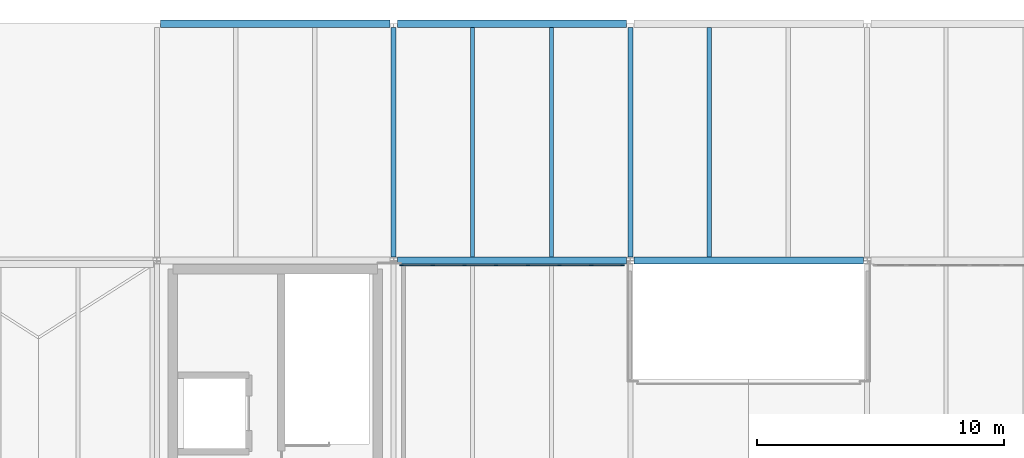
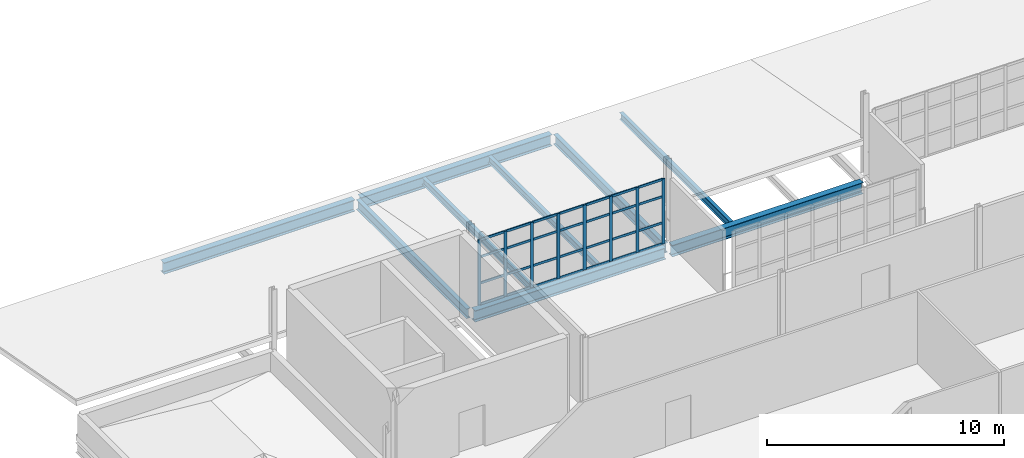
# One storey, part 26 of 58: 36 members, 9 beams, 1 element without a shape of its own.
"""IFC4 building model written with IfcOpenShell, lengths in metres."""

from ifc_helpers import new_model, si_unit, direction, frame, origin, origin_2d, place, context, subcontext, project, spatial, rectangle, i_section, extrude, material, layer, layer_set, material_profile, profile_set, type_object, element, aggregate, save


model = new_model("IFC4")

# Units and contexts
model_context = context("Model", 3, precision=1e-05, world=origin(), true_north=direction((0.0, 1.0)))
body_context = subcontext(model_context, "Body", "Model", "MODEL_VIEW")
ifc_project = project(units=[si_unit("LENGTHUNIT", "METRE"), si_unit("AREAUNIT", "SQUARE_METRE"), si_unit("VOLUMEUNIT", "CUBIC_METRE"), si_unit("PLANEANGLEUNIT", "RADIAN"), si_unit("MASSUNIT", "GRAM", prefix="KILO")], contexts=[model_context])

# Site, building, storey
site_placement = place(None, origin())
site = spatial("IfcSite", under=ifc_project, at=site_placement, CompositionType="ELEMENT")
building_placement = place(site_placement, origin())
building = spatial("IfcBuilding", under=site, at=building_placement, Name="Yeouljin Market Hall", CompositionType="ELEMENT")
storey_placement = place(building_placement, frame((0.0, 0.0, 10.800048828125)))
storey = spatial("IfcBuildingStorey", under=building, at=storey_placement, Name="L02", CompositionType="ELEMENT", Elevation=10.800048828125)

# Beams
ifc_material_1 = material(Name="Steel SM355", Category="steel")
ifc_material_profile_1 = material_profile(ifc_material_1, i_section(OverallWidth=0.199951171875, OverallDepth=0.5, WebThickness=0.010009765625, FlangeThickness=0.01611328125, FilletRadius=0.02001953125, at=origin_2d()), Name="H-500x200x10x16")
ifc_profile_set_1 = profile_set([ifc_material_profile_1], Name="Steel SM355")
beam_type_1 = type_object("IfcBeamType", Name="Beam_H-500x200x10x16", PredefinedType="BEAM", material=ifc_profile_set_1)
for number, where, z_axis, x_axis, name in (
    (1, (73.800048828125, 98.550048828125, -0.550048828125), (0.0, 1.0, 0.0), (-1.0, 0.0, 0.0), "Primary beam BM-L02-Y112"),
    (2, (83.39990234375, 98.550048828125, -0.550048828125), (0.0, 1.0, 0.0), (-1.0, 0.0, 0.0), "Primary beam BM-L02-Y115"),
):
    element("IfcBeam", number, at=place(storey_placement, frame(where, z_axis=z_axis, x_axis=x_axis)), inside=storey, type_object=beam_type_1, Name=name, PredefinedType="BEAM", context=body_context, shape_type="SweptSolid", body=[
        extrude(i_section(OverallWidth=0.199951171875, OverallDepth=0.5, WebThickness=0.010009765625, FlangeThickness=0.01611328125, FilletRadius=0.02001953125, at=origin_2d()), origin(), (0.0, 0.0, 1.0), 9.300048828125),
    ])

# Curtain wall, members
ifc_material_2 = material(Name="Thermally Broken Aluminium", Category="aluminium")
ifc_layer = layer(ifc_material_2, 0.14990234375)
ifc_layer_set = layer_set([ifc_layer], Name="Thermally Broken Aluminium")
curtain_wall_type = type_object("IfcCurtainWallType", Name="CW_AcademyRibbon_System", PredefinedType="USERDEFINED", material=ifc_layer_set)
curtain_wall_placement = place(storey_placement, origin())
curtain_wall = element("IfcCurtainWall", 3, at=curtain_wall_placement, inside=storey, type_object=curtain_wall_type, Name="Curtain wall CW-L02-W15", ObjectType="CURTAIN WALL", PredefinedType="USERDEFINED")
ifc_material_3 = material(Name="Thermally Broken Aluminium", Category="aluminium")
ifc_material_profile_2 = material_profile(ifc_material_3, rectangle(XDim=0.048095703125, YDim=0.14990234375, at=origin_2d()), Name="CW-MULL-48x150")
ifc_profile_set_2 = profile_set([ifc_material_profile_2], Name="Thermally Broken Aluminium")
member_type_1 = type_object("IfcMemberType", Name="CWMullion_48x150", PredefinedType="MULLION", material=ifc_profile_set_2)
member_1_placement = place(storey_placement, frame((74.1240234375, 98.199951171875, 0.0), z_axis=(0.0, 0.0, 1.0), x_axis=(0.0, 1.0, 0.0)))
member_1 = element("IfcMember", 4, at=member_1_placement, type_object=member_type_1, Name="CW-05 mullion 1", PredefinedType="MULLION", context=body_context, shape_type="SweptSolid", body=[
    extrude(rectangle(XDim=0.048095703125, YDim=0.14990234375, at=origin_2d()), origin(), (0.0, 0.0, 1.0), 3.349853515625),
])
member_2_placement = place(storey_placement, frame((75.3857421875, 98.199951171875, 0.0), z_axis=(0.0, 0.0, 1.0), x_axis=(0.0, 1.0, 0.0)))
member_2 = element("IfcMember", 5, at=member_2_placement, type_object=member_type_1, Name="CW-05 mullion 2", PredefinedType="MULLION", context=body_context, shape_type="SweptSolid", body=[
    extrude(rectangle(XDim=0.048095703125, YDim=0.14990234375, at=origin_2d()), origin(), (0.0, 0.0, 1.0), 3.349853515625),
])
member_3_placement = place(storey_placement, frame((76.67138671875, 98.199951171875, 0.0), z_axis=(0.0, 0.0, 1.0), x_axis=(0.0, 1.0, 0.0)))
member_3 = element("IfcMember", 6, at=member_3_placement, type_object=member_type_1, Name="CW-05 mullion 3", PredefinedType="MULLION", context=body_context, shape_type="SweptSolid", body=[
    extrude(rectangle(XDim=0.048095703125, YDim=0.14990234375, at=origin_2d()), origin(), (0.0, 0.0, 1.0), 3.349853515625),
])
member_4_placement = place(storey_placement, frame((77.95703125, 98.199951171875, 0.0), z_axis=(0.0, 0.0, 1.0), x_axis=(0.0, 1.0, 0.0)))
member_4 = element("IfcMember", 7, at=member_4_placement, type_object=member_type_1, Name="CW-05 mullion 4", PredefinedType="MULLION", context=body_context, shape_type="SweptSolid", body=[
    extrude(rectangle(XDim=0.048095703125, YDim=0.14990234375, at=origin_2d()), origin(), (0.0, 0.0, 1.0), 3.349853515625),
])
member_5_placement = place(storey_placement, frame((79.242919921875, 98.199951171875, 0.0), z_axis=(0.0, 0.0, 1.0), x_axis=(0.0, 1.0, 0.0)))
member_5 = element("IfcMember", 8, at=member_5_placement, type_object=member_type_1, Name="CW-05 mullion 5", PredefinedType="MULLION", context=body_context, shape_type="SweptSolid", body=[
    extrude(rectangle(XDim=0.048095703125, YDim=0.14990234375, at=origin_2d()), origin(), (0.0, 0.0, 1.0), 3.349853515625),
])
member_6_placement = place(storey_placement, frame((80.528564453125, 98.199951171875, 0.0), z_axis=(0.0, 0.0, 1.0), x_axis=(0.0, 1.0, 0.0)))
member_6 = element("IfcMember", 9, at=member_6_placement, type_object=member_type_1, Name="CW-05 mullion 6", PredefinedType="MULLION", context=body_context, shape_type="SweptSolid", body=[
    extrude(rectangle(XDim=0.048095703125, YDim=0.14990234375, at=origin_2d()), origin(), (0.0, 0.0, 1.0), 3.349853515625),
])
member_7_placement = place(storey_placement, frame((81.814208984375, 98.199951171875, 0.0), z_axis=(0.0, 0.0, 1.0), x_axis=(0.0, 1.0, 0.0)))
member_7 = element("IfcMember", 10, at=member_7_placement, type_object=member_type_1, Name="CW-05 mullion 7", PredefinedType="MULLION", context=body_context, shape_type="SweptSolid", body=[
    extrude(rectangle(XDim=0.048095703125, YDim=0.14990234375, at=origin_2d()), origin(), (0.0, 0.0, 1.0), 3.349853515625),
])
member_8_placement = place(storey_placement, frame((83.075927734375, 98.199951171875, 0.0), z_axis=(0.0, 0.0, 1.0), x_axis=(0.0, 1.0, 0.0)))
member_8 = element("IfcMember", 11, at=member_8_placement, type_object=member_type_1, Name="CW-05 mullion 8", PredefinedType="MULLION", context=body_context, shape_type="SweptSolid", body=[
    extrude(rectangle(XDim=0.048095703125, YDim=0.14990234375, at=origin_2d()), origin(), (0.0, 0.0, 1.0), 3.349853515625),
])
ifc_material_4 = material(Name="Thermally Broken Aluminium", Category="aluminium")
ifc_material_profile_3 = material_profile(ifc_material_4, rectangle(XDim=0.048095703125, YDim=0.1201171875, at=origin_2d()), Name="CW-TRAN-48x120")
ifc_profile_set_3 = profile_set([ifc_material_profile_3], Name="Thermally Broken Aluminium")
member_type_2 = type_object("IfcMemberType", Name="CWTransom_48x120", PredefinedType="USERDEFINED", material=ifc_profile_set_3)
member_9_placement = place(storey_placement, frame((74.14794921875, 98.199951171875, 0.02392578125), z_axis=(1.0, 0.0, 0.0), x_axis=(0.0, 1.0, 0.0)))
member_9 = element("IfcMember", 12, at=member_9_placement, type_object=member_type_2, Name="CW-05 transom 1.1", ObjectType="TRANSOM", PredefinedType="USERDEFINED", context=body_context, shape_type="SweptSolid", body=[
    extrude(rectangle(XDim=0.048095703125, YDim=0.1201171875, at=origin_2d()), origin(), (0.0, 0.0, 1.0), 1.2138671875),
])
member_10_placement = place(storey_placement, frame((74.14794921875, 98.199951171875, 1.099853515625), z_axis=(1.0, 0.0, 0.0), x_axis=(0.0, 1.0, 0.0)))
member_10 = element("IfcMember", 13, at=member_10_placement, type_object=member_type_2, Name="CW-05 transom 1.2", ObjectType="TRANSOM", PredefinedType="USERDEFINED", context=body_context, shape_type="SweptSolid", body=[
    extrude(rectangle(XDim=0.048095703125, YDim=0.1201171875, at=origin_2d()), origin(), (0.0, 0.0, 1.0), 1.2138671875),
])
member_11_placement = place(storey_placement, frame((74.14794921875, 98.199951171875, 2.449951171875), z_axis=(1.0, 0.0, 0.0), x_axis=(0.0, 1.0, 0.0)))
member_11 = element("IfcMember", 14, at=member_11_placement, type_object=member_type_2, Name="CW-05 transom 1.3", ObjectType="TRANSOM", PredefinedType="USERDEFINED", context=body_context, shape_type="SweptSolid", body=[
    extrude(rectangle(XDim=0.048095703125, YDim=0.1201171875, at=origin_2d()), origin(), (0.0, 0.0, 1.0), 1.2138671875),
])
member_12_placement = place(storey_placement, frame((74.14794921875, 98.199951171875, 3.325927734375), z_axis=(1.0, 0.0, 0.0), x_axis=(0.0, 1.0, 0.0)))
member_12 = element("IfcMember", 15, at=member_12_placement, type_object=member_type_2, Name="CW-05 transom 1.4", ObjectType="TRANSOM", PredefinedType="USERDEFINED", context=body_context, shape_type="SweptSolid", body=[
    extrude(rectangle(XDim=0.048095703125, YDim=0.1201171875, at=origin_2d()), origin(), (0.0, 0.0, 1.0), 1.2138671875),
])
member_13_placement = place(storey_placement, frame((75.40966796875, 98.199951171875, 0.02392578125), z_axis=(1.0, 0.0, 0.0), x_axis=(0.0, 1.0, 0.0)))
member_13 = element("IfcMember", 16, at=member_13_placement, type_object=member_type_2, Name="CW-05 transom 2.1", ObjectType="TRANSOM", PredefinedType="USERDEFINED", context=body_context, shape_type="SweptSolid", body=[
    extrude(rectangle(XDim=0.048095703125, YDim=0.1201171875, at=origin_2d()), origin(), (0.0, 0.0, 1.0), 1.23779296875),
])
member_14_placement = place(storey_placement, frame((75.40966796875, 98.199951171875, 1.099853515625), z_axis=(1.0, 0.0, 0.0), x_axis=(0.0, 1.0, 0.0)))
member_14 = element("IfcMember", 17, at=member_14_placement, type_object=member_type_2, Name="CW-05 transom 2.2", ObjectType="TRANSOM", PredefinedType="USERDEFINED", context=body_context, shape_type="SweptSolid", body=[
    extrude(rectangle(XDim=0.048095703125, YDim=0.1201171875, at=origin_2d()), origin(), (0.0, 0.0, 1.0), 1.23779296875),
])
member_15_placement = place(storey_placement, frame((75.40966796875, 98.199951171875, 2.449951171875), z_axis=(1.0, 0.0, 0.0), x_axis=(0.0, 1.0, 0.0)))
member_15 = element("IfcMember", 18, at=member_15_placement, type_object=member_type_2, Name="CW-05 transom 2.3", ObjectType="TRANSOM", PredefinedType="USERDEFINED", context=body_context, shape_type="SweptSolid", body=[
    extrude(rectangle(XDim=0.048095703125, YDim=0.1201171875, at=origin_2d()), origin(), (0.0, 0.0, 1.0), 1.23779296875),
])
member_16_placement = place(storey_placement, frame((75.40966796875, 98.199951171875, 3.325927734375), z_axis=(1.0, 0.0, 0.0), x_axis=(0.0, 1.0, 0.0)))
member_16 = element("IfcMember", 19, at=member_16_placement, type_object=member_type_2, Name="CW-05 transom 2.4", ObjectType="TRANSOM", PredefinedType="USERDEFINED", context=body_context, shape_type="SweptSolid", body=[
    extrude(rectangle(XDim=0.048095703125, YDim=0.1201171875, at=origin_2d()), origin(), (0.0, 0.0, 1.0), 1.23779296875),
])
member_17_placement = place(storey_placement, frame((76.6953125, 98.199951171875, 0.02392578125), z_axis=(1.0, 0.0, 0.0), x_axis=(0.0, 1.0, 0.0)))
member_17 = element("IfcMember", 20, at=member_17_placement, type_object=member_type_2, Name="CW-05 transom 3.1", ObjectType="TRANSOM", PredefinedType="USERDEFINED", context=body_context, shape_type="SweptSolid", body=[
    extrude(rectangle(XDim=0.048095703125, YDim=0.1201171875, at=origin_2d()), origin(), (0.0, 0.0, 1.0), 1.23779296875),
])
member_18_placement = place(storey_placement, frame((76.6953125, 98.199951171875, 1.099853515625), z_axis=(1.0, 0.0, 0.0), x_axis=(0.0, 1.0, 0.0)))
member_18 = element("IfcMember", 21, at=member_18_placement, type_object=member_type_2, Name="CW-05 transom 3.2", ObjectType="TRANSOM", PredefinedType="USERDEFINED", context=body_context, shape_type="SweptSolid", body=[
    extrude(rectangle(XDim=0.048095703125, YDim=0.1201171875, at=origin_2d()), origin(), (0.0, 0.0, 1.0), 1.23779296875),
])
member_19_placement = place(storey_placement, frame((76.6953125, 98.199951171875, 2.449951171875), z_axis=(1.0, 0.0, 0.0), x_axis=(0.0, 1.0, 0.0)))
member_19 = element("IfcMember", 22, at=member_19_placement, type_object=member_type_2, Name="CW-05 transom 3.3", ObjectType="TRANSOM", PredefinedType="USERDEFINED", context=body_context, shape_type="SweptSolid", body=[
    extrude(rectangle(XDim=0.048095703125, YDim=0.1201171875, at=origin_2d()), origin(), (0.0, 0.0, 1.0), 1.23779296875),
])
member_20_placement = place(storey_placement, frame((76.6953125, 98.199951171875, 3.325927734375), z_axis=(1.0, 0.0, 0.0), x_axis=(0.0, 1.0, 0.0)))
member_20 = element("IfcMember", 23, at=member_20_placement, type_object=member_type_2, Name="CW-05 transom 3.4", ObjectType="TRANSOM", PredefinedType="USERDEFINED", context=body_context, shape_type="SweptSolid", body=[
    extrude(rectangle(XDim=0.048095703125, YDim=0.1201171875, at=origin_2d()), origin(), (0.0, 0.0, 1.0), 1.23779296875),
])
member_21_placement = place(storey_placement, frame((77.981201171875, 98.199951171875, 0.02392578125), z_axis=(1.0, 0.0, 0.0), x_axis=(0.0, 1.0, 0.0)))
member_21 = element("IfcMember", 24, at=member_21_placement, type_object=member_type_2, Name="CW-05 transom 4.1", ObjectType="TRANSOM", PredefinedType="USERDEFINED", context=body_context, shape_type="SweptSolid", body=[
    extrude(rectangle(XDim=0.048095703125, YDim=0.1201171875, at=origin_2d()), origin(), (0.0, 0.0, 1.0), 1.237548828125),
])
member_22_placement = place(storey_placement, frame((77.981201171875, 98.199951171875, 1.099853515625), z_axis=(1.0, 0.0, 0.0), x_axis=(0.0, 1.0, 0.0)))
member_22 = element("IfcMember", 25, at=member_22_placement, type_object=member_type_2, Name="CW-05 transom 4.2", ObjectType="TRANSOM", PredefinedType="USERDEFINED", context=body_context, shape_type="SweptSolid", body=[
    extrude(rectangle(XDim=0.048095703125, YDim=0.1201171875, at=origin_2d()), origin(), (0.0, 0.0, 1.0), 1.237548828125),
])
member_23_placement = place(storey_placement, frame((77.981201171875, 98.199951171875, 2.449951171875), z_axis=(1.0, 0.0, 0.0), x_axis=(0.0, 1.0, 0.0)))
member_23 = element("IfcMember", 26, at=member_23_placement, type_object=member_type_2, Name="CW-05 transom 4.3", ObjectType="TRANSOM", PredefinedType="USERDEFINED", context=body_context, shape_type="SweptSolid", body=[
    extrude(rectangle(XDim=0.048095703125, YDim=0.1201171875, at=origin_2d()), origin(), (0.0, 0.0, 1.0), 1.237548828125),
])
member_24_placement = place(storey_placement, frame((77.981201171875, 98.199951171875, 3.325927734375), z_axis=(1.0, 0.0, 0.0), x_axis=(0.0, 1.0, 0.0)))
member_24 = element("IfcMember", 27, at=member_24_placement, type_object=member_type_2, Name="CW-05 transom 4.4", ObjectType="TRANSOM", PredefinedType="USERDEFINED", context=body_context, shape_type="SweptSolid", body=[
    extrude(rectangle(XDim=0.048095703125, YDim=0.1201171875, at=origin_2d()), origin(), (0.0, 0.0, 1.0), 1.237548828125),
])
member_25_placement = place(storey_placement, frame((79.266845703125, 98.199951171875, 0.02392578125), z_axis=(1.0, 0.0, 0.0), x_axis=(0.0, 1.0, 0.0)))
member_25 = element("IfcMember", 28, at=member_25_placement, type_object=member_type_2, Name="CW-05 transom 5.1", ObjectType="TRANSOM", PredefinedType="USERDEFINED", context=body_context, shape_type="SweptSolid", body=[
    extrude(rectangle(XDim=0.048095703125, YDim=0.1201171875, at=origin_2d()), origin(), (0.0, 0.0, 1.0), 1.23779296875),
])
member_26_placement = place(storey_placement, frame((79.266845703125, 98.199951171875, 1.099853515625), z_axis=(1.0, 0.0, 0.0), x_axis=(0.0, 1.0, 0.0)))
member_26 = element("IfcMember", 29, at=member_26_placement, type_object=member_type_2, Name="CW-05 transom 5.2", ObjectType="TRANSOM", PredefinedType="USERDEFINED", context=body_context, shape_type="SweptSolid", body=[
    extrude(rectangle(XDim=0.048095703125, YDim=0.1201171875, at=origin_2d()), origin(), (0.0, 0.0, 1.0), 1.23779296875),
])
member_27_placement = place(storey_placement, frame((79.266845703125, 98.199951171875, 2.449951171875), z_axis=(1.0, 0.0, 0.0), x_axis=(0.0, 1.0, 0.0)))
member_27 = element("IfcMember", 30, at=member_27_placement, type_object=member_type_2, Name="CW-05 transom 5.3", ObjectType="TRANSOM", PredefinedType="USERDEFINED", context=body_context, shape_type="SweptSolid", body=[
    extrude(rectangle(XDim=0.048095703125, YDim=0.1201171875, at=origin_2d()), origin(), (0.0, 0.0, 1.0), 1.23779296875),
])
member_28_placement = place(storey_placement, frame((79.266845703125, 98.199951171875, 3.325927734375), z_axis=(1.0, 0.0, 0.0), x_axis=(0.0, 1.0, 0.0)))
member_28 = element("IfcMember", 31, at=member_28_placement, type_object=member_type_2, Name="CW-05 transom 5.4", ObjectType="TRANSOM", PredefinedType="USERDEFINED", context=body_context, shape_type="SweptSolid", body=[
    extrude(rectangle(XDim=0.048095703125, YDim=0.1201171875, at=origin_2d()), origin(), (0.0, 0.0, 1.0), 1.23779296875),
])
member_29_placement = place(storey_placement, frame((80.552490234375, 98.199951171875, 0.02392578125), z_axis=(1.0, 0.0, 0.0), x_axis=(0.0, 1.0, 0.0)))
member_29 = element("IfcMember", 32, at=member_29_placement, type_object=member_type_2, Name="CW-05 transom 6.1", ObjectType="TRANSOM", PredefinedType="USERDEFINED", context=body_context, shape_type="SweptSolid", body=[
    extrude(rectangle(XDim=0.048095703125, YDim=0.1201171875, at=origin_2d()), origin(), (0.0, 0.0, 1.0), 1.23779296875),
])
member_30_placement = place(storey_placement, frame((80.552490234375, 98.199951171875, 1.099853515625), z_axis=(1.0, 0.0, 0.0), x_axis=(0.0, 1.0, 0.0)))
member_30 = element("IfcMember", 33, at=member_30_placement, type_object=member_type_2, Name="CW-05 transom 6.2", ObjectType="TRANSOM", PredefinedType="USERDEFINED", context=body_context, shape_type="SweptSolid", body=[
    extrude(rectangle(XDim=0.048095703125, YDim=0.1201171875, at=origin_2d()), origin(), (0.0, 0.0, 1.0), 1.23779296875),
])
member_31_placement = place(storey_placement, frame((80.552490234375, 98.199951171875, 2.449951171875), z_axis=(1.0, 0.0, 0.0), x_axis=(0.0, 1.0, 0.0)))
member_31 = element("IfcMember", 34, at=member_31_placement, type_object=member_type_2, Name="CW-05 transom 6.3", ObjectType="TRANSOM", PredefinedType="USERDEFINED", context=body_context, shape_type="SweptSolid", body=[
    extrude(rectangle(XDim=0.048095703125, YDim=0.1201171875, at=origin_2d()), origin(), (0.0, 0.0, 1.0), 1.23779296875),
])
member_32_placement = place(storey_placement, frame((80.552490234375, 98.199951171875, 3.325927734375), z_axis=(1.0, 0.0, 0.0), x_axis=(0.0, 1.0, 0.0)))
member_32 = element("IfcMember", 35, at=member_32_placement, type_object=member_type_2, Name="CW-05 transom 6.4", ObjectType="TRANSOM", PredefinedType="USERDEFINED", context=body_context, shape_type="SweptSolid", body=[
    extrude(rectangle(XDim=0.048095703125, YDim=0.1201171875, at=origin_2d()), origin(), (0.0, 0.0, 1.0), 1.23779296875),
])
member_33_placement = place(storey_placement, frame((81.83837890625, 98.199951171875, 0.02392578125), z_axis=(1.0, 0.0, 0.0), x_axis=(0.0, 1.0, 0.0)))
member_33 = element("IfcMember", 36, at=member_33_placement, type_object=member_type_2, Name="CW-05 transom 7.1", ObjectType="TRANSOM", PredefinedType="USERDEFINED", context=body_context, shape_type="SweptSolid", body=[
    extrude(rectangle(XDim=0.048095703125, YDim=0.1201171875, at=origin_2d()), origin(), (0.0, 0.0, 1.0), 1.213623046875),
])
member_34_placement = place(storey_placement, frame((81.83837890625, 98.199951171875, 1.099853515625), z_axis=(1.0, 0.0, 0.0), x_axis=(0.0, 1.0, 0.0)))
member_34 = element("IfcMember", 37, at=member_34_placement, type_object=member_type_2, Name="CW-05 transom 7.2", ObjectType="TRANSOM", PredefinedType="USERDEFINED", context=body_context, shape_type="SweptSolid", body=[
    extrude(rectangle(XDim=0.048095703125, YDim=0.1201171875, at=origin_2d()), origin(), (0.0, 0.0, 1.0), 1.213623046875),
])
member_35_placement = place(storey_placement, frame((81.83837890625, 98.199951171875, 2.449951171875), z_axis=(1.0, 0.0, 0.0), x_axis=(0.0, 1.0, 0.0)))
member_35 = element("IfcMember", 38, at=member_35_placement, type_object=member_type_2, Name="CW-05 transom 7.3", ObjectType="TRANSOM", PredefinedType="USERDEFINED", context=body_context, shape_type="SweptSolid", body=[
    extrude(rectangle(XDim=0.048095703125, YDim=0.1201171875, at=origin_2d()), origin(), (0.0, 0.0, 1.0), 1.213623046875),
])
member_36_placement = place(storey_placement, frame((81.83837890625, 98.199951171875, 3.325927734375), z_axis=(1.0, 0.0, 0.0), x_axis=(0.0, 1.0, 0.0)))
member_36 = element("IfcMember", 39, at=member_36_placement, type_object=member_type_2, Name="CW-05 transom 7.4", ObjectType="TRANSOM", PredefinedType="USERDEFINED", context=body_context, shape_type="SweptSolid", body=[
    extrude(rectangle(XDim=0.048095703125, YDim=0.1201171875, at=origin_2d()), origin(), (0.0, 0.0, 1.0), 1.213623046875),
])
aggregate(curtain_wall, [member_1, member_2, member_3, member_4, member_5, member_6, member_7, member_8, member_9, member_10, member_11, member_12, member_13, member_14, member_15, member_16, member_17, member_18, member_19, member_20, member_21, member_22, member_23, member_24, member_25, member_26, member_27, member_28, member_29, member_30, member_31, member_32, member_33, member_34, member_35, member_36])

# Beams
ifc_material_5 = material(Name="Steel SM355", Category="steel")
ifc_material_profile_4 = material_profile(ifc_material_5, i_section(OverallWidth=0.300048828125, OverallDepth=0.587890625, WebThickness=0.011962890625, FlangeThickness=0.02001953125, FilletRadius=0.02392578125, at=origin_2d()), Name="H-588x300x12x20")
ifc_profile_set_4 = profile_set([ifc_material_profile_4], Name="Steel SM355")
beam_type_2 = type_object("IfcBeamType", Name="Girder_H-588x300x12x20", PredefinedType="USERDEFINED", material=ifc_profile_set_4)
for number, where, z_axis, x_axis, name in (
    (40, (73.949951171875, 98.39990234375, -0.593994140625), (1.0, 0.0, 0.0), (0.0, 1.0, 0.0), "Primary girder GRD-L02-X067"),
    (41, (83.550048828125, 98.39990234375, -0.593994140625), (1.0, 0.0, 0.0), (0.0, 1.0, 0.0), "Primary girder GRD-L02-X068"),
):
    element("IfcBeam", number, at=place(storey_placement, frame(where, z_axis=z_axis, x_axis=x_axis)), inside=storey, type_object=beam_type_2, Name=name, ObjectType="GIRDER", PredefinedType="USERDEFINED", context=body_context, shape_type="SweptSolid", body=[
        extrude(i_section(OverallWidth=0.300048828125, OverallDepth=0.587890625, WebThickness=0.011962890625, FlangeThickness=0.02001953125, FilletRadius=0.02392578125, at=origin_2d()), origin(), (0.0, 0.0, 1.0), 9.300048828125),
    ])
beam_1_placement = place(storey_placement, frame((64.35009765625, 108.0, -0.593994140625), z_axis=(1.0, 0.0, 0.0), x_axis=(0.0, 1.0, 0.0)))
element("IfcBeam", 42, at=beam_1_placement, inside=storey, type_object=beam_type_2, Name="Primary girder GRD-L02-X072", ObjectType="GIRDER", PredefinedType="USERDEFINED", context=body_context, shape_type="SweptSolid", body=[
    extrude(i_section(OverallWidth=0.300048828125, OverallDepth=0.587890625, WebThickness=0.011962890625, FlangeThickness=0.02001953125, FilletRadius=0.02392578125, at=origin_2d()), origin(), (0.0, 0.0, 1.0), 9.2998046875),
])
beam_2_placement = place(storey_placement, frame((73.949951171875, 108.0, -0.593994140625), z_axis=(1.0, 0.0, 0.0), x_axis=(0.0, 1.0, 0.0)))
element("IfcBeam", 43, at=beam_2_placement, inside=storey, type_object=beam_type_2, Name="Primary girder GRD-L02-X073", ObjectType="GIRDER", PredefinedType="USERDEFINED", context=body_context, shape_type="SweptSolid", body=[
    extrude(i_section(OverallWidth=0.300048828125, OverallDepth=0.587890625, WebThickness=0.011962890625, FlangeThickness=0.02001953125, FilletRadius=0.02392578125, at=origin_2d()), origin(), (0.0, 0.0, 1.0), 9.300048828125),
])
ifc_material_6 = material(Name="Steel SM355", Category="steel")
ifc_material_profile_5 = material_profile(ifc_material_6, i_section(OverallWidth=0.175048828125, OverallDepth=0.35009765625, WebThickness=0.007080078125, FlangeThickness=0.010986328125, FilletRadius=0.013916015625, at=origin_2d()), Name="H-350x175x7x11")
ifc_profile_set_5 = profile_set([ifc_material_profile_5], Name="Steel SM355")
beam_type_3 = type_object("IfcBeamType", Name="Joist_H-350x175x7x11", PredefinedType="JOIST", material=ifc_profile_set_5)
for number, where, z_axis, x_axis, name in (
    (44, (77.0, 98.547119140625, -0.47509765625), (0.0, 1.0, 0.0), (-1.0, 0.0, 0.0), "Secondary floor joist L02-040"),
    (45, (80.199951171875, 98.547119140625, -0.47509765625), (0.0, 1.0, 0.0), (-1.0, 0.0, 0.0), "Secondary floor joist L02-041"),
    (46, (86.60009765625, 98.547119140625, -0.47509765625), (0.0, 1.0, 0.0), (-1.0, 0.0, 0.0), "Secondary floor joist L02-044"),
):
    element("IfcBeam", number, at=place(storey_placement, frame(where, z_axis=z_axis, x_axis=x_axis)), inside=storey, type_object=beam_type_3, Name=name, PredefinedType="JOIST", context=body_context, shape_type="SweptSolid", body=[
        extrude(i_section(OverallWidth=0.175048828125, OverallDepth=0.35009765625, WebThickness=0.007080078125, FlangeThickness=0.010986328125, FilletRadius=0.013916015625, at=origin_2d()), origin(), (0.0, 0.0, 1.0), 9.305908203125),
    ])

save(model, "model.ifc")
